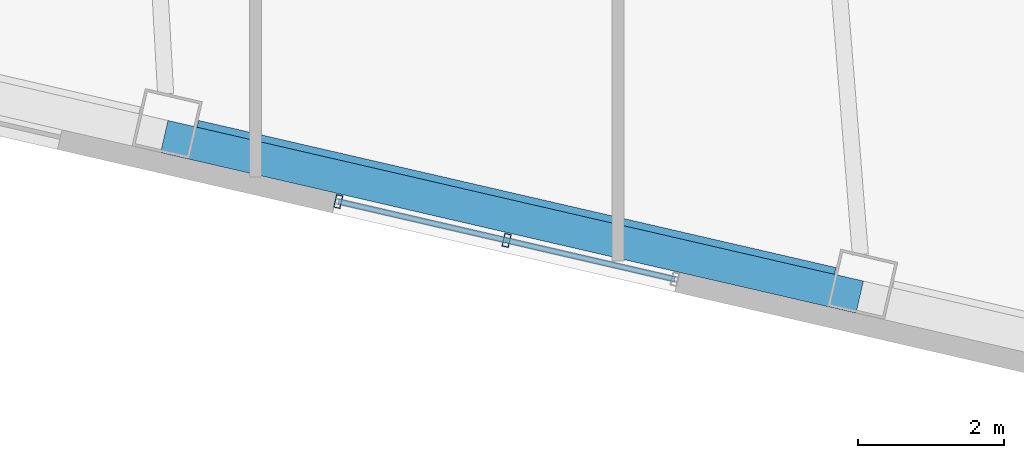
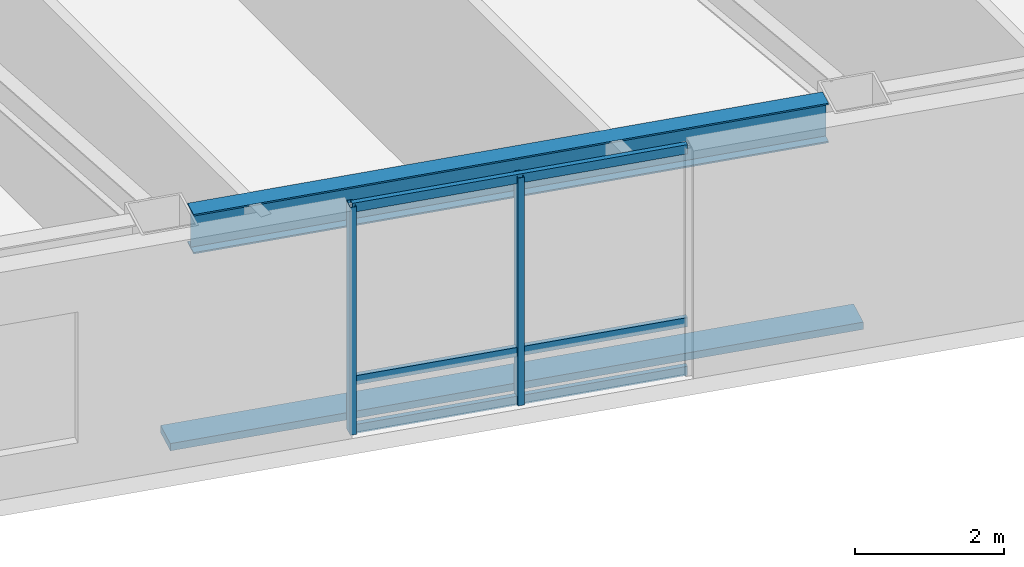
# One storey, part 4 of 22: 6 members, 1 beam, 1 element without a shape of its own.
"""IFC4 building model written with IfcOpenShell, lengths in metres."""

from ifc_helpers import new_model, si_unit, direction, frame, origin, origin_2d, place, context, subcontext, project, spatial, rectangle, hollow_rectangle, i_section, extrude, material, layer, layer_set, material_profile, profile_set, type_object, element, aggregate, save


model = new_model("IFC4")

# Units and contexts
model_context = context("Model", 3, precision=1e-05, world=origin(), true_north=direction((0.0, 1.0)))
body_context = subcontext(model_context, "Body", "Model", "MODEL_VIEW")
ifc_project = project(units=[si_unit("LENGTHUNIT", "METRE"), si_unit("AREAUNIT", "SQUARE_METRE"), si_unit("VOLUMEUNIT", "CUBIC_METRE"), si_unit("PLANEANGLEUNIT", "RADIAN"), si_unit("MASSUNIT", "GRAM", prefix="KILO")], contexts=[model_context])

# Site, building, storey
site_placement = place(None, origin())
site = spatial("IfcSite", under=ifc_project, at=site_placement, CompositionType="ELEMENT")
building_placement = place(site_placement, origin())
building = spatial("IfcBuilding", under=site, at=building_placement, Name="Tavrogorsk Clinical Tower", CompositionType="ELEMENT")
storey_placement = place(building_placement, frame((0.0, 0.0, 55.39990234375)))
storey = spatial("IfcBuildingStorey", under=building, at=storey_placement, Name="L11", CompositionType="ELEMENT", Elevation=55.39990234375)

# Member
ifc_material_1 = material(Name="Anodised aluminium alloy AW-6063", Category="aluminium")
ifc_material_profile_1 = material_profile(ifc_material_1, rectangle(XDim=0.449951171875, YDim=0.1201171875, at=origin_2d()), Name="ALU-SUNSHADE-450x120")
ifc_profile_set_1 = profile_set([ifc_material_profile_1], Name="Anodised aluminium alloy AW-6063")
member_type_1 = type_object("IfcMemberType", Name="ChicagoSunshade_450x120", PredefinedType="USERDEFINED", material=ifc_profile_set_1)
member_1_placement = place(storey_placement, frame((-3.296875, -27.353271484375, 0.18017578125), z_axis=(0.97437219846, -0.224941812182, 0.0), x_axis=(0.224941812182, 0.97437219846, 0.0)))
element("IfcMember", 1, at=member_1_placement, inside=storey, type_object=member_type_1, Name="L11 South Aluminium Sunshade S5", ObjectType="SUNSHADE", PredefinedType="USERDEFINED", context=body_context, shape_type="SweptSolid", body=[
    extrude(rectangle(XDim=0.449951171875, YDim=0.1201171875, at=origin_2d()), origin(), (0.0, 0.0, 1.0), 9.74853515625),
])

# Curtain wall, members
ifc_material_2 = material(Name="Anodised aluminium and triple IGU glazing", Category="aluminium")
ifc_layer = layer(ifc_material_2, 0.179931640625)
ifc_layer_set = layer_set([ifc_layer], Name="Anodised aluminium and triple IGU glazing")
curtain_wall_type = type_object("IfcCurtainWallType", Name="CW3_SouthSlot", PredefinedType="NOTDEFINED", material=ifc_layer_set)
curtain_wall_placement = place(storey_placement, origin())
curtain_wall = element("IfcCurtainWall", 2, at=curtain_wall_placement, inside=storey, type_object=curtain_wall_type, Name="L11 Curtain Wall CW-L11-S-SLOT-2", PredefinedType="NOTDEFINED")
ifc_material_3 = material(Name="Anodised aluminium alloy AW-6060", Category="aluminium")
ifc_material_profile_2 = material_profile(ifc_material_3, hollow_rectangle(XDim=0.090087890625, YDim=0.179931640625, WallThickness=0.00634765625, at=origin_2d()), Name="RHS-180x90x6.3")
ifc_profile_set_2 = profile_set([ifc_material_profile_2], Name="Anodised aluminium alloy AW-6060")
member_type_2 = type_object("IfcMemberType", Name="CwMullion_180x90", PredefinedType="MULLION", material=ifc_profile_set_2)
member_2_placement = place(storey_placement, frame((-0.92041015625, -28.240478515625, 0.0), z_axis=(0.0, 0.0, 1.0), x_axis=(0.974370102963, -0.224950888978, 0.0)))
member_2 = element("IfcMember", 3, at=member_2_placement, type_object=member_type_2, Name="CW-L11-S-SLOT-2 Mullion 1", PredefinedType="MULLION", context=body_context, shape_type="SweptSolid", body=[
    extrude(hollow_rectangle(XDim=0.090087890625, YDim=0.179931640625, WallThickness=0.00634765625, at=origin_2d()), origin(), (0.0, 0.0, 1.0), 3.739990234375),
])
member_3_placement = place(storey_placement, frame((1.378173828125, -28.771240234375, 0.0), z_axis=(0.0, 0.0, 1.0), x_axis=(0.974370102963, -0.224950888978, 0.0)))
member_3 = element("IfcMember", 4, at=member_3_placement, type_object=member_type_2, Name="CW-L11-S-SLOT-2 Mullion 2", PredefinedType="MULLION", context=body_context, shape_type="SweptSolid", body=[
    extrude(hollow_rectangle(XDim=0.090087890625, YDim=0.179931640625, WallThickness=0.00634765625, at=origin_2d()), origin(), (0.0, 0.0, 1.0), 3.739990234375),
])
ifc_material_4 = material(Name="Anodised aluminium alloy AW-6060", Category="aluminium")
ifc_material_profile_3 = material_profile(ifc_material_4, hollow_rectangle(XDim=0.074951171875, YDim=0.14990234375, WallThickness=0.0048828125, at=origin_2d()), Name="RHS-150x75x5")
ifc_profile_set_3 = profile_set([ifc_material_profile_3], Name="Anodised aluminium alloy AW-6060")
member_type_3 = type_object("IfcMemberType", Name="CwTransom_150x75", PredefinedType="USERDEFINED", material=ifc_profile_set_3)
member_4_placement = place(storey_placement, frame((-0.92041015625, -28.240478515625, 0.050048828125), z_axis=(0.974372877948, -0.22493886885, 0.0), x_axis=(0.22493886885, 0.974372877948, 0.0)))
member_4 = element("IfcMember", 5, at=member_4_placement, type_object=member_type_3, Name="CW-L11-S-SLOT-2 Transom 1", ObjectType="TRANSOM", PredefinedType="USERDEFINED", context=body_context, shape_type="SweptSolid", body=[
    extrude(hollow_rectangle(XDim=0.074951171875, YDim=0.14990234375, WallThickness=0.0048828125, at=origin_2d()), origin(), (0.0, 0.0, 1.0), 4.718017578125),
])
member_5_placement = place(storey_placement, frame((-0.92041015625, -28.240478515625, 0.85009765625), z_axis=(0.974372877948, -0.22493886885, 0.0), x_axis=(0.22493886885, 0.974372877948, 0.0)))
member_5 = element("IfcMember", 6, at=member_5_placement, type_object=member_type_3, Name="CW-L11-S-SLOT-2 Transom 2", ObjectType="TRANSOM", PredefinedType="USERDEFINED", context=body_context, shape_type="SweptSolid", body=[
    extrude(hollow_rectangle(XDim=0.074951171875, YDim=0.14990234375, WallThickness=0.0048828125, at=origin_2d()), origin(), (0.0, 0.0, 1.0), 4.718017578125),
])
member_6_placement = place(storey_placement, frame((-0.92041015625, -28.240478515625, 3.690185546875), z_axis=(0.974372877948, -0.22493886885, 0.0), x_axis=(0.22493886885, 0.974372877948, 0.0)))
member_6 = element("IfcMember", 7, at=member_6_placement, type_object=member_type_3, Name="CW-L11-S-SLOT-2 Transom 3", ObjectType="TRANSOM", PredefinedType="USERDEFINED", context=body_context, shape_type="SweptSolid", body=[
    extrude(hollow_rectangle(XDim=0.074951171875, YDim=0.14990234375, WallThickness=0.0048828125, at=origin_2d()), origin(), (0.0, 0.0, 1.0), 4.718017578125),
])
aggregate(curtain_wall, [member_2, member_3, member_4, member_5, member_6])

# Beam
ifc_material_5 = material(Name="Structural steel S390", Category="steel")
ifc_material_profile_4 = material_profile(ifc_material_5, i_section(OverallWidth=0.280029296875, OverallDepth=0.64990234375, WebThickness=0.01611328125, FlangeThickness=0.02490234375, at=origin_2d()), Name="B-650x280x16x25")
ifc_profile_set_4 = profile_set([ifc_material_profile_4], Name="Structural steel S390")
beam_type = type_object("IfcBeamType", Name="SpandrelBeam_B650", PredefinedType="SPANDREL", material=ifc_profile_set_4)
beam_placement = place(storey_placement, frame((-2.85888671875, -27.26953125, 3.4150390625), z_axis=(0.974372766602, -0.224939351168, 0.0), x_axis=(0.224939351168, 0.974372766602, 0.0)))
element("IfcBeam", 8, at=beam_placement, inside=storey, type_object=beam_type, Name="L11 Perimeter Spandrel S5-S6", PredefinedType="SPANDREL", context=body_context, shape_type="SweptSolid", body=[
    extrude(i_section(OverallWidth=0.280029296875, OverallDepth=0.64990234375, WebThickness=0.01611328125, FlangeThickness=0.02490234375, at=origin_2d()), origin(), (0.0, 0.0, 1.0), 8.9326171875),
])

save(model, "model.ifc")
